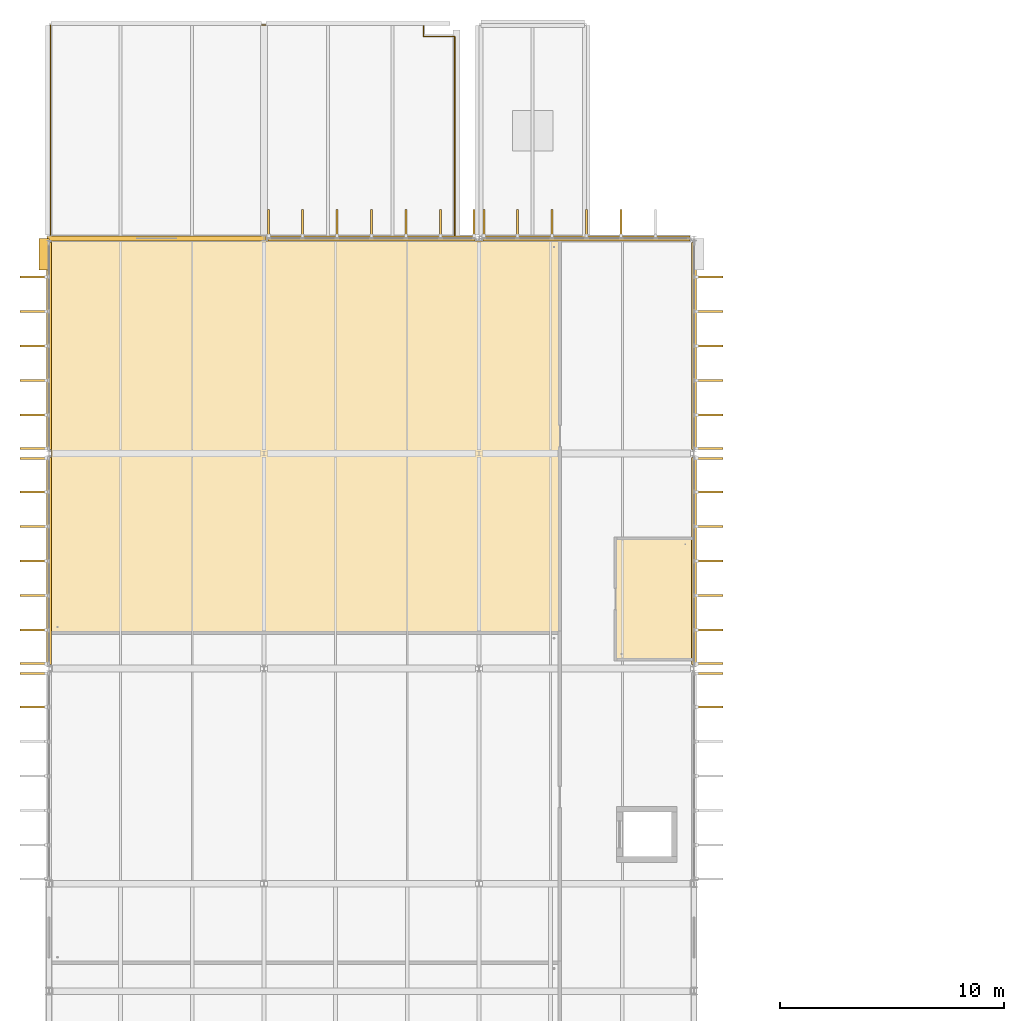
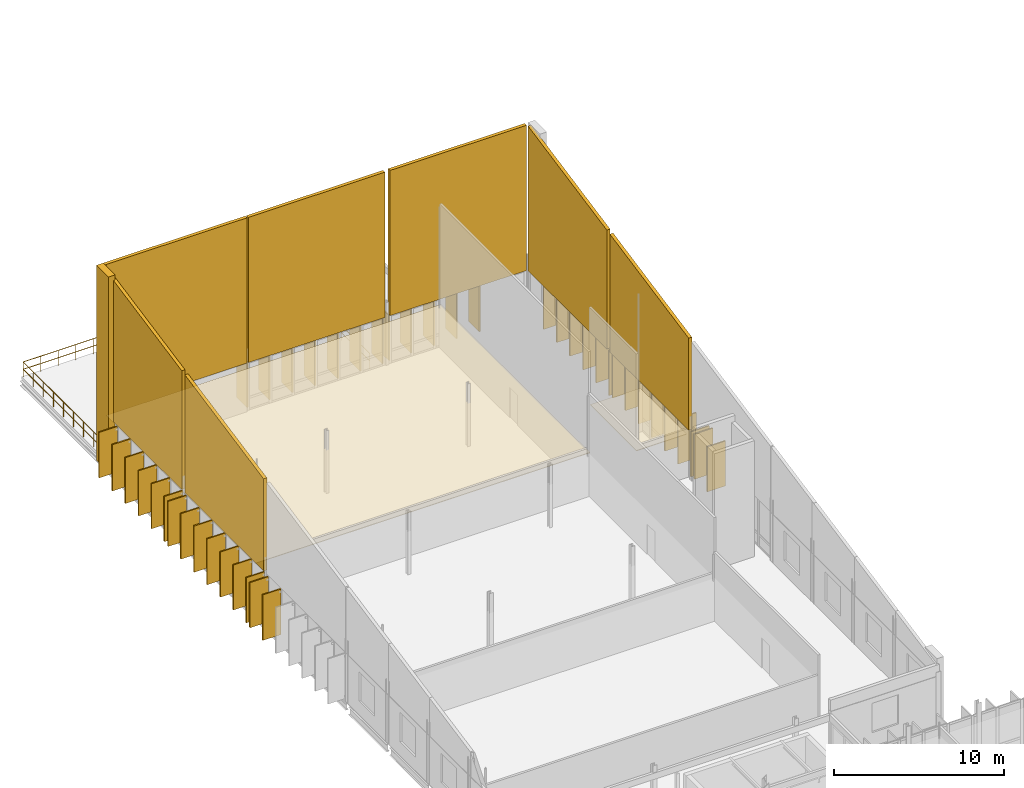
# One storey, part 91 of 93: 52 coverings, 1 railing.
"""IFC4 building model written with IfcOpenShell, lengths in metres."""

import ifcopenshell
import ifcopenshell.guid

model = None  # the IFC model being written
_history = None  # IfcOwnerHistory: only IFC2X3 demands one
_inside = {}  # id of a spatial element -> (the spatial element, [elements in it])
_under = {}  # id of a project, library or spatial element -> (it, [spatial elements below it])
_declared = {}  # id of a project -> (the project, [libraries it declares])
_typed = {}  # id of a type object -> (the type object, [elements of that type])
_made_of = {}  # id of a material, layer set ... -> (it, [elements and type objects made of it])


def new_model(schema):
    """Start an empty IFC model of exactly this schema.

    Asked for "IFC4X3", IfcOpenShell would pick the latest addendum, in which some entities
    have other attributes; the version numbers below select the first issue.
    IFC2X3 requires an IfcOwnerHistory on every rooted entity: one is made here for all.
    """
    global model, _history
    if schema == "IFC4X3":
        model = ifcopenshell.file(schema_version=(4, 3, 0, 0))
    else:
        model = ifcopenshell.file(schema=schema)
    _inside.clear()
    _under.clear()
    _declared.clear()
    _typed.clear()
    _made_of.clear()
    _history = None
    if model.schema == "IFC2X3":
        org = make("IfcOrganization", Name="unknown")
        user = make(
            "IfcPersonAndOrganization",
            ThePerson=make("IfcPerson", FamilyName="unknown"),
            TheOrganization=org,
        )
        app = make(
            "IfcApplication",
            ApplicationDeveloper=org,
            Version="unknown",
            ApplicationFullName="unknown",
            ApplicationIdentifier="unknown",
        )
        _history = make(
            "IfcOwnerHistory",
            OwningUser=user,
            OwningApplication=app,
            ChangeAction="ADDED",
            CreationDate=0,
        )
    return model


def make(cls, **values):
    """One entity of the class cls with the attributes given. An attribute that is None is left unset."""
    return model.create_entity(
        cls, **{name: value for name, value in values.items() if value is not None}
    )


def rooted(cls, **values):
    """An entity with a GlobalId (a new one), such as an element, a storey or a relation."""
    return make(cls, GlobalId=ifcopenshell.guid.new(), OwnerHistory=_history, **values)


def si_unit(unit_type, name, prefix=None):
    """IfcSIUnit, for example si_unit("LENGTHUNIT", "METRE", prefix="MILLI")."""
    return make("IfcSIUnit", UnitType=unit_type, Prefix=prefix, Name=name)


def assignment(units):
    """IfcUnitAssignment: the units of a project."""
    return None if units is None else make("IfcUnitAssignment", Units=units)


def point(xyz):
    """IfcCartesianPoint."""
    return None if xyz is None else make("IfcCartesianPoint", Coordinates=xyz)


def direction(xyz):
    """IfcDirection."""
    return None if xyz is None else make("IfcDirection", DirectionRatios=xyz)


def frame(location, z_axis=None, x_axis=None):
    """IfcAxis2Placement3D, a coordinate frame: its origin and axes. An axis left out is left unset."""
    return make(
        "IfcAxis2Placement3D",
        Location=point(location),
        Axis=direction(z_axis),
        RefDirection=direction(x_axis),
    )


def frame_2d(location, x_axis=None):
    """IfcAxis2Placement2D, a coordinate frame in the plane: its origin and x axis."""
    return make(
        "IfcAxis2Placement2D", Location=point(location), RefDirection=direction(x_axis)
    )


def origin():
    """The frame at (0, 0, 0) with its axes left unset."""
    return frame((0.0, 0.0, 0.0))


def origin_2d():
    """The frame at (0, 0) in the plane with its x axis left unset."""
    return frame_2d((0.0, 0.0))


def place(relative_to, where):
    """IfcLocalPlacement: puts the frame where relative to a parent placement (None: the world)."""
    return make(
        "IfcLocalPlacement", PlacementRelTo=relative_to, RelativePlacement=where
    )


def context(
    kind, dimensions, precision=None, world=None, true_north=None, identifier=None
):
    """IfcGeometricRepresentationContext, for example the 3D "Model" context."""
    return make(
        "IfcGeometricRepresentationContext",
        ContextIdentifier=identifier,
        ContextType=kind,
        CoordinateSpaceDimension=dimensions,
        Precision=precision,
        WorldCoordinateSystem=world,
        TrueNorth=true_north,
    )


def subcontext(parent, identifier, kind, view, scale=None):
    """IfcGeometricRepresentationSubContext, for example "Body" below "Model"."""
    return make(
        "IfcGeometricRepresentationSubContext",
        ContextIdentifier=identifier,
        ContextType=kind,
        ParentContext=parent,
        TargetScale=scale,
        TargetView=view,
    )


def project(units=None, contexts=None):
    """IfcProject with its units and contexts."""
    return rooted(
        "IfcProject",
        Name="project",
        RepresentationContexts=contexts,
        UnitsInContext=assignment(units),
    )


def spatial(cls, under=None, at=None, **own):
    """A site, building, storey or space (cls), placed at a placement, below another one or the project."""
    s = rooted(cls, ObjectPlacement=at, **own)
    if under is not None:
        _under.setdefault(under.id(), (under, []))[1].append(s)
    return s


def polyline(points):
    """IfcPolyline through the points."""
    return make("IfcPolyline", Points=[point(p) for p in points])


def profile(cls, at=None, kind="AREA", **sizes):
    """A parametric profile (cls). Its sizes go by their IFC names, for example OverallWidth=200.0."""
    return make(cls, ProfileType=kind, Position=at, **sizes)


def rectangle(**sizes):
    """IfcRectangleProfileDef."""
    return profile("IfcRectangleProfileDef", **sizes)


def circle(**sizes):
    """IfcCircleProfileDef."""
    return profile("IfcCircleProfileDef", **sizes)


def outline(outer, holes=None, kind="AREA"):
    """IfcArbitraryClosedProfileDef: a profile drawn as a closed curve; with holes, ...WithVoids."""
    if holes is None:
        return make("IfcArbitraryClosedProfileDef", ProfileType=kind, OuterCurve=outer)
    return make(
        "IfcArbitraryProfileDefWithVoids",
        ProfileType=kind,
        OuterCurve=outer,
        InnerCurves=holes,
    )


def extrude(swept, where, along, depth):
    """IfcExtrudedAreaSolid: the profile swept, set in the frame where, extruded along a direction by depth."""
    return make(
        "IfcExtrudedAreaSolid",
        SweptArea=swept,
        Position=where,
        ExtrudedDirection=direction(along),
        Depth=depth,
    )


def shape(context_of_items, identifier, shape_type, items):
    """IfcShapeRepresentation: the items that make up one representation, for example the "Body"."""
    return make(
        "IfcShapeRepresentation",
        ContextOfItems=context_of_items,
        RepresentationIdentifier=identifier,
        RepresentationType=shape_type,
        Items=items,
    )


def material(Name=None, Category=None):
    """IfcMaterial."""
    return make("IfcMaterial", Name=Name, Category=Category)


def layer(
    of_material, thickness, ventilated=None, Name=None, Category=None, Priority=None
):
    """IfcMaterialLayer: one layer of a wall or slab, of a material (None: an air gap)."""
    return make(
        "IfcMaterialLayer",
        Material=of_material,
        LayerThickness=thickness,
        IsVentilated=ventilated,
        Name=Name,
        Category=Category,
        Priority=Priority,
    )


def layer_set(layers, Name=None):
    """IfcMaterialLayerSet."""
    return make("IfcMaterialLayerSet", MaterialLayers=layers, LayerSetName=Name)


def made_of(thing, what):
    """Note that an element or type object is made of a material, layer set ...; save() writes the relation."""
    if what is not None:
        _made_of.setdefault(what.id(), (what, []))[1].append(thing)
    return thing


def type_object(cls, material=None, **own):
    """A type object (cls), such as IfcWallType, which elements share."""
    return made_of(rooted(cls, **own), material)


def element(
    cls,
    number,
    at=None,
    inside=None,
    cuts=None,
    type_object=None,
    material=None,
    context=None,
    identifier="Body",
    shape_type=None,
    held_by="IfcProductDefinitionShape",
    body=None,
    shapes=None,
    **own,
):
    """One element of the class cls, such as IfcWall. Its Tag is "e" and its number.

    at: its placement. inside: the storey or other place that contains it. cuts: it is an
    opening in that element (IfcRelVoidsElement). A single representation is given by context,
    identifier, shape_type and body (its items); several are given by shapes. held_by: the class
    of the entity that holds the representations. save() writes the other relations.
    """
    e = rooted(cls, Tag="e%d" % number, ObjectPlacement=at, **own)
    if body is not None:
        shapes = [shape(context, identifier, shape_type, body)]
    if shapes is not None:
        e.Representation = make(held_by, Representations=shapes)
    if inside is not None:
        _inside.setdefault(inside.id(), (inside, []))[1].append(e)
    if cuts is not None:
        rooted(
            "IfcRelVoidsElement", RelatingBuildingElement=cuts, RelatedOpeningElement=e
        )
    if type_object is not None:
        _typed.setdefault(type_object.id(), (type_object, []))[1].append(e)
    return made_of(e, material)


def aggregate(whole, parts):
    """IfcRelAggregates: a whole, such as a stair, and the parts it consists of."""
    return rooted("IfcRelAggregates", RelatingObject=whole, RelatedObjects=parts)


def save(model, path):
    """Write the relations noted so far, then the file.

    IfcRelAggregates (storeys below a building ...), IfcRelContainedInSpatialStructure (elements
    in a storey), IfcRelDefinesByType, IfcRelAssociatesMaterial and IfcRelDeclares: one each for
    every whole, place, type object, material and project.
    """
    for whole, parts in _under.values():
        aggregate(whole, parts)
    for where, things in _inside.values():
        rooted(
            "IfcRelContainedInSpatialStructure",
            RelatedElements=things,
            RelatingStructure=where,
        )
    for kind, things in _typed.values():
        rooted("IfcRelDefinesByType", RelatedObjects=things, RelatingType=kind)
    for what, things in _made_of.values():
        rooted("IfcRelAssociatesMaterial", RelatedObjects=things, RelatingMaterial=what)
    for by, libraries in _declared.values():
        rooted("IfcRelDeclares", RelatingContext=by, RelatedDefinitions=libraries)
    model.write(path)


model = new_model("IFC4")

# Units and contexts
model_context = context("Model", 3, precision=1e-05, world=origin(), true_north=direction((0.0, 1.0)))
body_context = subcontext(model_context, "Body", "Model", "MODEL_VIEW")
ifc_project = project(units=[si_unit("LENGTHUNIT", "METRE"), si_unit("AREAUNIT", "SQUARE_METRE"), si_unit("VOLUMEUNIT", "CUBIC_METRE"), si_unit("PLANEANGLEUNIT", "RADIAN"), si_unit("MASSUNIT", "GRAM", prefix="KILO")], contexts=[model_context])

# Site, building, storey
site_placement = place(None, origin())
site = spatial("IfcSite", under=ifc_project, at=site_placement, CompositionType="ELEMENT")
building_placement = place(site_placement, origin())
building = spatial("IfcBuilding", under=site, at=building_placement, Name="Dunescarp Central Library", CompositionType="ELEMENT")
storey_placement = place(building_placement, frame((0.0, 0.0, 14.10009765625)))
storey = spatial("IfcBuildingStorey", under=building, at=storey_placement, Name="L03", CompositionType="ELEMENT", Elevation=14.10009765625)

# Coverings
ifc_material_1 = material(Name="Mineral-fibre acoustic ceiling tile")
ifc_layer_1 = layer(ifc_material_1, 0.0400390625)
ifc_layer_set_1 = layer_set([ifc_layer_1], Name="Mineral-fibre acoustic ceiling tile")
covering_type_1 = type_object("IfcCoveringType", Name="ARC-COV-CEIL40", PredefinedType="CEILING", material=ifc_layer_set_1)
covering_1_placement = place(storey_placement, frame((0.0, 0.0, 3.0498046875)))
element("IfcCovering", 1, at=covering_1_placement, inside=storey, type_object=covering_type_1, Name="L03 ceiling West Maker Wing WC", PredefinedType="CEILING", context=body_context, shape_type="SweptSolid", body=[
    extrude(outline(polyline([(25.280029296875, 70.780029296875), (28.679931640625, 70.780029296875), (28.679931640625, 76.219970703125), (25.280029296875, 76.219970703125), (25.280029296875, 70.780029296875)])), origin(), (0.0, 0.0, 1.0), 0.0400390625),
])
covering_2_placement = place(storey_placement, frame((0.0, 0.0, 3.0498046875)))
element("IfcCovering", 2, at=covering_2_placement, inside=storey, type_object=covering_type_1, Name="L03 ceiling Coding & Youth Innovation Lab", PredefinedType="CEILING", context=body_context, shape_type="SweptSolid", body=[
    extrude(outline(polyline([(0.1201171875, 71.97998046875), (22.820068359375, 71.97998046875), (22.820068359375, 89.47998046875), (0.1201171875, 89.47998046875), (0.1201171875, 71.97998046875)])), origin(), (0.0, 0.0, 1.0), 0.0400390625),
])
ifc_material_2 = material(Name="Glass-fibre reinforced concrete GRC", Category="concrete")
ifc_layer_2 = layer(ifc_material_2, 0.219970703125)
ifc_layer_set_2 = layer_set([ifc_layer_2], Name="Glass-fibre reinforced concrete GRC")
covering_type_2 = type_object("IfcCoveringType", Name="ARC-COV-CLER", PredefinedType="CLADDING", material=ifc_layer_set_2)
covering_3_placement = place(storey_placement, frame((0.0, 70.574951171875, 3.47900390625), z_axis=(0.0, 0.0, 1.0), x_axis=(0.0, 1.0, 0.0)))
element("IfcCovering", 3, at=covering_3_placement, inside=storey, type_object=covering_type_2, Name="L03 V4 raked clerestory closure CLR-V4-L03-075", PredefinedType="CLADDING", context=body_context, shape_type="SweptSolid", body=[
    extrude(outline(polyline([(0.0, 0.0), (9.25, 0.0), (9.25, 8.44482421875), (0.0, 6.594970703125), (0.0, 0.0)])), frame((0.0, 0.10986328125, 0.0), z_axis=(0.0, -1.0, 0.0), x_axis=(1.0, 0.0, 0.0)), (0.0, 0.0, 1.0), 0.219970703125),
])
covering_4_placement = place(storey_placement, frame((28.800048828125, 79.824951171875, 3.47900390625), z_axis=(0.0, 0.0, 1.0), x_axis=(0.0, -1.0, 0.0)))
element("IfcCovering", 4, at=covering_4_placement, inside=storey, type_object=covering_type_2, Name="L03 V4 raked clerestory closure CLR-V4-L03-076", PredefinedType="CLADDING", context=body_context, shape_type="SweptSolid", body=[
    extrude(outline(polyline([(0.0, 0.0), (9.25, 0.0), (9.25, 6.594970703125), (0.0, 8.44482421875), (0.0, 0.0)])), frame((0.0, 0.10986328125, 0.0), z_axis=(0.0, -1.0, 0.0), x_axis=(1.0, 0.0, 0.0)), (0.0, 0.0, 1.0), 0.219970703125),
])
covering_5_placement = place(storey_placement, frame((0.0, 80.175048828125, 3.47900390625), z_axis=(0.0, 0.0, 1.0), x_axis=(0.0, 1.0, 0.0)))
element("IfcCovering", 5, at=covering_5_placement, inside=storey, type_object=covering_type_2, Name="L03 V4 raked clerestory closure CLR-V4-L03-077", PredefinedType="CLADDING", context=body_context, shape_type="SweptSolid", body=[
    extrude(outline(polyline([(0.0, 0.0), (9.25, 0.0), (9.25, 10.364990234375), (0.0, 8.514892578125), (0.0, 0.0)])), frame((0.0, 0.10986328125, 0.0), z_axis=(0.0, -1.0, 0.0), x_axis=(1.0, 0.0, 0.0)), (0.0, 0.0, 1.0), 0.219970703125),
])
covering_6_placement = place(storey_placement, frame((28.800048828125, 89.425048828125, 3.47900390625), z_axis=(0.0, 0.0, 1.0), x_axis=(0.0, -1.0, 0.0)))
element("IfcCovering", 6, at=covering_6_placement, inside=storey, type_object=covering_type_2, Name="L03 V4 raked clerestory closure CLR-V4-L03-078", PredefinedType="CLADDING", context=body_context, shape_type="SweptSolid", body=[
    extrude(outline(polyline([(0.0, 0.0), (9.25, 0.0), (9.25, 8.514892578125), (0.0, 10.364990234375), (0.0, 0.0)])), frame((0.0, 0.10986328125, 0.0), z_axis=(0.0, -1.0, 0.0), x_axis=(1.0, 0.0, 0.0)), (0.0, 0.0, 1.0), 0.219970703125),
])
covering_7_placement = place(storey_placement, frame((-0.0849609375, 89.60009765625, 3.471923828125), z_axis=(0.0, 0.0, 1.0), x_axis=(1.0, 0.0, 0.0)))
element("IfcCovering", 7, at=covering_7_placement, inside=storey, type_object=covering_type_2, Name="L03 V4 raked clerestory closure CLR-V4-L03-079", PredefinedType="CLADDING", context=body_context, shape_type="SweptSolid", body=[
    extrude(outline(polyline([(0.0, 0.0), (9.77001953125, 0.0), (9.77001953125, 10.406982421875), (0.0, 10.406982421875), (0.0, 0.0)])), frame((0.0, 0.10986328125, 0.0), z_axis=(0.0, -1.0, 0.0), x_axis=(1.0, 0.0, 0.0)), (0.0, 0.0, 1.0), 0.219970703125),
])
for number, where, z_axis, x_axis, name in (
    (8, (9.77490234375, 89.60009765625, 3.471923828125), (0.0, 0.0, 1.0), (1.0, 0.0, 0.0), "L03 V4 raked clerestory closure CLR-V4-L03-080"),
    (9, (19.375, 89.60009765625, 3.471923828125), (0.0, 0.0, 1.0), (1.0, 0.0, 0.0), "L03 V4 raked clerestory closure CLR-V4-L03-081"),
):
    element("IfcCovering", number, at=place(storey_placement, frame(where, z_axis=z_axis, x_axis=x_axis)), inside=storey, type_object=covering_type_2, Name=name, PredefinedType="CLADDING", context=body_context, shape_type="SweptSolid", body=[
        extrude(outline(polyline([(0.0, 0.0), (9.25, 0.0), (9.25, 10.406982421875), (0.0, 10.406982421875), (0.0, 0.0)])), frame((0.0, 0.10986328125, 0.0), z_axis=(0.0, -1.0, 0.0), x_axis=(1.0, 0.0, 0.0)), (0.0, 0.0, 1.0), 0.219970703125),
    ])
ifc_layer_3 = layer(ifc_material_2, 0.090087890625)
ifc_layer_set_3 = layer_set([ifc_layer_3], Name="Glass-fibre reinforced concrete GRC")
covering_type_3 = type_object("IfcCoveringType", Name="ARC-COV-FIN1250", PredefinedType="CLADDING", material=ifc_layer_set_3)
covering_8_placement = place(storey_placement, frame((-0.662109375, 68.68310546875, 0.07958984375), z_axis=(0.0, 0.0, 1.0), x_axis=(-1.0, 0.0, 0.0)))
element("IfcCovering", 10, at=covering_8_placement, inside=storey, type_object=covering_type_3, Name="L03 parametric vertical facade fin FIN-L03-0868", PredefinedType="CLADDING", context=body_context, shape_type="SweptSolid", body=[
    extrude(rectangle(XDim=1.25, YDim=0.090087890625, at=origin_2d()), origin(), (0.0, 0.0, 1.0), 3.260986328125),
])
covering_9_placement = place(storey_placement, frame((-0.662109375, 70.18505859375, 0.079833984375), z_axis=(0.0, 0.0, 1.0), x_axis=(-1.0, 0.0, 0.0)))
element("IfcCovering", 11, at=covering_9_placement, inside=storey, type_object=covering_type_3, Name="L03 parametric vertical facade fin FIN-L03-0869", PredefinedType="CLADDING", context=body_context, shape_type="SweptSolid", body=[
    extrude(rectangle(XDim=1.25, YDim=0.090087890625, at=origin_2d()), origin(), (0.0, 0.0, 1.0), 3.22802734375),
])
covering_10_placement = place(storey_placement, frame((29.4619140625, 70.18505859375, 0.16650390625), z_axis=(0.0, 0.0, 1.0), x_axis=(1.0, 0.0, 0.0)))
element("IfcCovering", 12, at=covering_10_placement, inside=storey, type_object=covering_type_3, Name="L03 parametric vertical facade fin FIN-L03-0870", PredefinedType="CLADDING", context=body_context, shape_type="SweptSolid", body=[
    extrude(rectangle(XDim=1.25, YDim=0.090087890625, at=origin_2d()), origin(), (0.0, 0.0, 1.0), 3.235107421875),
])
covering_11_placement = place(storey_placement, frame((29.4619140625, 68.68310546875, 0.18017578125), z_axis=(0.0, 0.0, 1.0), x_axis=(1.0, 0.0, 0.0)))
element("IfcCovering", 13, at=covering_11_placement, inside=storey, type_object=covering_type_3, Name="L03 parametric vertical facade fin FIN-L03-0871", PredefinedType="CLADDING", context=body_context, shape_type="SweptSolid", body=[
    extrude(rectangle(XDim=1.25, YDim=0.090087890625, at=origin_2d()), origin(), (0.0, 0.0, 1.0), 3.221923828125),
])
covering_12_placement = place(storey_placement, frame((-0.662109375, 70.614990234375, 0.16650390625), z_axis=(0.0, 0.0, 1.0), x_axis=(-1.0, 0.0, 0.0)))
element("IfcCovering", 14, at=covering_12_placement, inside=storey, type_object=covering_type_3, Name="L03 parametric vertical facade fin FIN-L03-0877", PredefinedType="CLADDING", context=body_context, shape_type="SweptSolid", body=[
    extrude(rectangle(XDim=1.25, YDim=0.090087890625, at=origin_2d()), origin(), (0.0, 0.0, 1.0), 3.235107421875),
])
covering_13_placement = place(storey_placement, frame((-0.662109375, 72.116943359375, 0.18017578125), z_axis=(0.0, 0.0, 1.0), x_axis=(-1.0, 0.0, 0.0)))
element("IfcCovering", 15, at=covering_13_placement, inside=storey, type_object=covering_type_3, Name="L03 parametric vertical facade fin FIN-L03-0878", PredefinedType="CLADDING", context=body_context, shape_type="SweptSolid", body=[
    extrude(rectangle(XDim=1.25, YDim=0.090087890625, at=origin_2d()), origin(), (0.0, 0.0, 1.0), 3.221923828125),
])
covering_14_placement = place(storey_placement, frame((-0.662109375, 73.657958984375, 0.1640625), z_axis=(0.0, 0.0, 1.0), x_axis=(-1.0, 0.0, 0.0)))
element("IfcCovering", 16, at=covering_14_placement, inside=storey, type_object=covering_type_3, Name="L03 parametric vertical facade fin FIN-L03-0879", PredefinedType="CLADDING", context=body_context, shape_type="SweptSolid", body=[
    extrude(rectangle(XDim=1.25, YDim=0.090087890625, at=origin_2d()), origin(), (0.0, 0.0, 1.0), 3.238037109375),
])
covering_15_placement = place(storey_placement, frame((-0.662109375, 75.199951171875, 0.12353515625), z_axis=(0.0, 0.0, 1.0), x_axis=(-1.0, 0.0, 0.0)))
element("IfcCovering", 17, at=covering_15_placement, inside=storey, type_object=covering_type_3, Name="L03 parametric vertical facade fin FIN-L03-0880", PredefinedType="CLADDING", context=body_context, shape_type="SweptSolid", body=[
    extrude(rectangle(XDim=1.25, YDim=0.090087890625, at=origin_2d()), origin(), (0.0, 0.0, 1.0), 3.279052734375),
])
covering_16_placement = place(storey_placement, frame((-0.662109375, 76.741943359375, 0.079345703125), z_axis=(0.0, 0.0, 1.0), x_axis=(-1.0, 0.0, 0.0)))
element("IfcCovering", 18, at=covering_16_placement, inside=storey, type_object=covering_type_3, Name="L03 parametric vertical facade fin FIN-L03-0881", PredefinedType="CLADDING", context=body_context, shape_type="SweptSolid", body=[
    extrude(rectangle(XDim=1.25, YDim=0.090087890625, at=origin_2d()), origin(), (0.0, 0.0, 1.0), 3.31103515625),
])
covering_17_placement = place(storey_placement, frame((-0.662109375, 78.282958984375, 0.07958984375), z_axis=(0.0, 0.0, 1.0), x_axis=(-1.0, 0.0, 0.0)))
element("IfcCovering", 19, at=covering_17_placement, inside=storey, type_object=covering_type_3, Name="L03 parametric vertical facade fin FIN-L03-0882", PredefinedType="CLADDING", context=body_context, shape_type="SweptSolid", body=[
    extrude(rectangle(XDim=1.25, YDim=0.090087890625, at=origin_2d()), origin(), (0.0, 0.0, 1.0), 3.260986328125),
])
covering_18_placement = place(storey_placement, frame((-0.662109375, 79.784912109375, 0.079833984375), z_axis=(0.0, 0.0, 1.0), x_axis=(-1.0, 0.0, 0.0)))
element("IfcCovering", 20, at=covering_18_placement, inside=storey, type_object=covering_type_3, Name="L03 parametric vertical facade fin FIN-L03-0883", PredefinedType="CLADDING", context=body_context, shape_type="SweptSolid", body=[
    extrude(rectangle(XDim=1.25, YDim=0.090087890625, at=origin_2d()), origin(), (0.0, 0.0, 1.0), 3.22802734375),
])
covering_19_placement = place(storey_placement, frame((29.4619140625, 79.784912109375, 0.16650390625), z_axis=(0.0, 0.0, 1.0), x_axis=(1.0, 0.0, 0.0)))
element("IfcCovering", 21, at=covering_19_placement, inside=storey, type_object=covering_type_3, Name="L03 parametric vertical facade fin FIN-L03-0884", PredefinedType="CLADDING", context=body_context, shape_type="SweptSolid", body=[
    extrude(rectangle(XDim=1.25, YDim=0.090087890625, at=origin_2d()), origin(), (0.0, 0.0, 1.0), 3.235107421875),
])
covering_20_placement = place(storey_placement, frame((29.4619140625, 78.282958984375, 0.18017578125), z_axis=(0.0, 0.0, 1.0), x_axis=(1.0, 0.0, 0.0)))
element("IfcCovering", 22, at=covering_20_placement, inside=storey, type_object=covering_type_3, Name="L03 parametric vertical facade fin FIN-L03-0885", PredefinedType="CLADDING", context=body_context, shape_type="SweptSolid", body=[
    extrude(rectangle(XDim=1.25, YDim=0.090087890625, at=origin_2d()), origin(), (0.0, 0.0, 1.0), 3.221923828125),
])
covering_21_placement = place(storey_placement, frame((29.4619140625, 76.741943359375, 0.1640625), z_axis=(0.0, 0.0, 1.0), x_axis=(1.0, 0.0, 0.0)))
element("IfcCovering", 23, at=covering_21_placement, inside=storey, type_object=covering_type_3, Name="L03 parametric vertical facade fin FIN-L03-0886", PredefinedType="CLADDING", context=body_context, shape_type="SweptSolid", body=[
    extrude(rectangle(XDim=1.25, YDim=0.090087890625, at=origin_2d()), origin(), (0.0, 0.0, 1.0), 3.238037109375),
])
covering_22_placement = place(storey_placement, frame((29.4619140625, 75.199951171875, 0.12353515625), z_axis=(0.0, 0.0, 1.0), x_axis=(1.0, 0.0, 0.0)))
element("IfcCovering", 24, at=covering_22_placement, inside=storey, type_object=covering_type_3, Name="L03 parametric vertical facade fin FIN-L03-0887", PredefinedType="CLADDING", context=body_context, shape_type="SweptSolid", body=[
    extrude(rectangle(XDim=1.25, YDim=0.090087890625, at=origin_2d()), origin(), (0.0, 0.0, 1.0), 3.279052734375),
])
covering_23_placement = place(storey_placement, frame((29.4619140625, 73.657958984375, 0.079345703125), z_axis=(0.0, 0.0, 1.0), x_axis=(1.0, 0.0, 0.0)))
element("IfcCovering", 25, at=covering_23_placement, inside=storey, type_object=covering_type_3, Name="L03 parametric vertical facade fin FIN-L03-0888", PredefinedType="CLADDING", context=body_context, shape_type="SweptSolid", body=[
    extrude(rectangle(XDim=1.25, YDim=0.090087890625, at=origin_2d()), origin(), (0.0, 0.0, 1.0), 3.31103515625),
])
covering_24_placement = place(storey_placement, frame((29.4619140625, 72.116943359375, 0.07958984375), z_axis=(0.0, 0.0, 1.0), x_axis=(1.0, 0.0, 0.0)))
element("IfcCovering", 26, at=covering_24_placement, inside=storey, type_object=covering_type_3, Name="L03 parametric vertical facade fin FIN-L03-0889", PredefinedType="CLADDING", context=body_context, shape_type="SweptSolid", body=[
    extrude(rectangle(XDim=1.25, YDim=0.090087890625, at=origin_2d()), origin(), (0.0, 0.0, 1.0), 3.260986328125),
])
covering_25_placement = place(storey_placement, frame((29.4619140625, 70.614990234375, 0.079833984375), z_axis=(0.0, 0.0, 1.0), x_axis=(1.0, 0.0, 0.0)))
element("IfcCovering", 27, at=covering_25_placement, inside=storey, type_object=covering_type_3, Name="L03 parametric vertical facade fin FIN-L03-0890", PredefinedType="CLADDING", context=body_context, shape_type="SweptSolid", body=[
    extrude(rectangle(XDim=1.25, YDim=0.090087890625, at=origin_2d()), origin(), (0.0, 0.0, 1.0), 3.22802734375),
])
covering_26_placement = place(storey_placement, frame((-0.662109375, 80.215087890625, 0.16650390625), z_axis=(0.0, 0.0, 1.0), x_axis=(-1.0, 0.0, 0.0)))
element("IfcCovering", 28, at=covering_26_placement, inside=storey, type_object=covering_type_3, Name="L03 parametric vertical facade fin FIN-L03-0891", PredefinedType="CLADDING", context=body_context, shape_type="SweptSolid", body=[
    extrude(rectangle(XDim=1.25, YDim=0.090087890625, at=origin_2d()), origin(), (0.0, 0.0, 1.0), 3.235107421875),
])
covering_27_placement = place(storey_placement, frame((-0.662109375, 81.717041015625, 0.18017578125), z_axis=(0.0, 0.0, 1.0), x_axis=(-1.0, 0.0, 0.0)))
element("IfcCovering", 29, at=covering_27_placement, inside=storey, type_object=covering_type_3, Name="L03 parametric vertical facade fin FIN-L03-0892", PredefinedType="CLADDING", context=body_context, shape_type="SweptSolid", body=[
    extrude(rectangle(XDim=1.25, YDim=0.090087890625, at=origin_2d()), origin(), (0.0, 0.0, 1.0), 3.221923828125),
])
covering_28_placement = place(storey_placement, frame((-0.662109375, 83.258056640625, 0.1640625), z_axis=(0.0, 0.0, 1.0), x_axis=(-1.0, 0.0, 0.0)))
element("IfcCovering", 30, at=covering_28_placement, inside=storey, type_object=covering_type_3, Name="L03 parametric vertical facade fin FIN-L03-0893", PredefinedType="CLADDING", context=body_context, shape_type="SweptSolid", body=[
    extrude(rectangle(XDim=1.25, YDim=0.090087890625, at=origin_2d()), origin(), (0.0, 0.0, 1.0), 3.238037109375),
])
covering_29_placement = place(storey_placement, frame((-0.662109375, 84.800048828125, 0.12353515625), z_axis=(0.0, 0.0, 1.0), x_axis=(-1.0, 0.0, 0.0)))
element("IfcCovering", 31, at=covering_29_placement, inside=storey, type_object=covering_type_3, Name="L03 parametric vertical facade fin FIN-L03-0894", PredefinedType="CLADDING", context=body_context, shape_type="SweptSolid", body=[
    extrude(rectangle(XDim=1.25, YDim=0.090087890625, at=origin_2d()), origin(), (0.0, 0.0, 1.0), 3.279052734375),
])
covering_30_placement = place(storey_placement, frame((-0.662109375, 86.342041015625, 0.079345703125), z_axis=(0.0, 0.0, 1.0), x_axis=(-1.0, 0.0, 0.0)))
element("IfcCovering", 32, at=covering_30_placement, inside=storey, type_object=covering_type_3, Name="L03 parametric vertical facade fin FIN-L03-0895", PredefinedType="CLADDING", context=body_context, shape_type="SweptSolid", body=[
    extrude(rectangle(XDim=1.25, YDim=0.090087890625, at=origin_2d()), origin(), (0.0, 0.0, 1.0), 3.31103515625),
])
covering_31_placement = place(storey_placement, frame((-0.662109375, 87.883056640625, 0.07958984375), z_axis=(0.0, 0.0, 1.0), x_axis=(-1.0, 0.0, 0.0)))
element("IfcCovering", 33, at=covering_31_placement, inside=storey, type_object=covering_type_3, Name="L03 parametric vertical facade fin FIN-L03-0896", PredefinedType="CLADDING", context=body_context, shape_type="SweptSolid", body=[
    extrude(rectangle(XDim=1.25, YDim=0.090087890625, at=origin_2d()), origin(), (0.0, 0.0, 1.0), 3.260986328125),
])
covering_32_placement = place(storey_placement, frame((29.4619140625, 87.883056640625, 0.18017578125), z_axis=(0.0, 0.0, 1.0), x_axis=(1.0, 0.0, 0.0)))
element("IfcCovering", 34, at=covering_32_placement, inside=storey, type_object=covering_type_3, Name="L03 parametric vertical facade fin FIN-L03-0897", PredefinedType="CLADDING", context=body_context, shape_type="SweptSolid", body=[
    extrude(rectangle(XDim=1.25, YDim=0.090087890625, at=origin_2d()), origin(), (0.0, 0.0, 1.0), 3.221923828125),
])
covering_33_placement = place(storey_placement, frame((29.4619140625, 86.342041015625, 0.1640625), z_axis=(0.0, 0.0, 1.0), x_axis=(1.0, 0.0, 0.0)))
element("IfcCovering", 35, at=covering_33_placement, inside=storey, type_object=covering_type_3, Name="L03 parametric vertical facade fin FIN-L03-0898", PredefinedType="CLADDING", context=body_context, shape_type="SweptSolid", body=[
    extrude(rectangle(XDim=1.25, YDim=0.090087890625, at=origin_2d()), origin(), (0.0, 0.0, 1.0), 3.238037109375),
])
covering_34_placement = place(storey_placement, frame((29.4619140625, 84.800048828125, 0.12353515625), z_axis=(0.0, 0.0, 1.0), x_axis=(1.0, 0.0, 0.0)))
element("IfcCovering", 36, at=covering_34_placement, inside=storey, type_object=covering_type_3, Name="L03 parametric vertical facade fin FIN-L03-0899", PredefinedType="CLADDING", context=body_context, shape_type="SweptSolid", body=[
    extrude(rectangle(XDim=1.25, YDim=0.090087890625, at=origin_2d()), origin(), (0.0, 0.0, 1.0), 3.279052734375),
])
covering_35_placement = place(storey_placement, frame((29.4619140625, 83.258056640625, 0.079345703125), z_axis=(0.0, 0.0, 1.0), x_axis=(1.0, 0.0, 0.0)))
element("IfcCovering", 37, at=covering_35_placement, inside=storey, type_object=covering_type_3, Name="L03 parametric vertical facade fin FIN-L03-0900", PredefinedType="CLADDING", context=body_context, shape_type="SweptSolid", body=[
    extrude(rectangle(XDim=1.25, YDim=0.090087890625, at=origin_2d()), origin(), (0.0, 0.0, 1.0), 3.31103515625),
])
covering_36_placement = place(storey_placement, frame((29.4619140625, 81.717041015625, 0.07958984375), z_axis=(0.0, 0.0, 1.0), x_axis=(1.0, 0.0, 0.0)))
element("IfcCovering", 38, at=covering_36_placement, inside=storey, type_object=covering_type_3, Name="L03 parametric vertical facade fin FIN-L03-0901", PredefinedType="CLADDING", context=body_context, shape_type="SweptSolid", body=[
    extrude(rectangle(XDim=1.25, YDim=0.090087890625, at=origin_2d()), origin(), (0.0, 0.0, 1.0), 3.260986328125),
])
for number, where, z_axis, x_axis, name in (
    (39, (29.4619140625, 80.215087890625, 0.079833984375), (0.0, 0.0, 1.0), (1.0, 0.0, 0.0), "L03 parametric vertical facade fin FIN-L03-0902"),
    (40, (9.81494140625, 90.261962890625, 0.1669921875), (0.0, 0.0, 1.0), (0.0, 1.0, 0.0), "L03 parametric vertical facade fin FIN-L03-0903"),
):
    element("IfcCovering", number, at=place(storey_placement, frame(where, z_axis=z_axis, x_axis=x_axis)), inside=storey, type_object=covering_type_3, Name=name, PredefinedType="CLADDING", context=body_context, shape_type="SweptSolid", body=[
        extrude(rectangle(XDim=1.25, YDim=0.090087890625, at=origin_2d()), origin(), (0.0, 0.0, 1.0), 3.22802734375),
    ])
covering_37_placement = place(storey_placement, frame((11.31689453125, 90.261962890625, 0.17919921875), z_axis=(0.0, 0.0, 1.0), x_axis=(0.0, 1.0, 0.0)))
element("IfcCovering", 41, at=covering_37_placement, inside=storey, type_object=covering_type_3, Name="L03 parametric vertical facade fin FIN-L03-0904", PredefinedType="CLADDING", context=body_context, shape_type="SweptSolid", body=[
    extrude(rectangle(XDim=1.25, YDim=0.090087890625, at=origin_2d()), origin(), (0.0, 0.0, 1.0), 3.215087890625),
])
covering_38_placement = place(storey_placement, frame((12.85791015625, 90.261962890625, 0.164306640625), z_axis=(0.0, 0.0, 1.0), x_axis=(0.0, 1.0, 0.0)))
element("IfcCovering", 42, at=covering_38_placement, inside=storey, type_object=covering_type_3, Name="L03 parametric vertical facade fin FIN-L03-0905", PredefinedType="CLADDING", context=body_context, shape_type="SweptSolid", body=[
    extrude(rectangle(XDim=1.25, YDim=0.090087890625, at=origin_2d()), origin(), (0.0, 0.0, 1.0), 3.23095703125),
])
covering_39_placement = place(storey_placement, frame((14.39990234375, 90.261962890625, 0.122802734375), z_axis=(0.0, 0.0, 1.0), x_axis=(0.0, 1.0, 0.0)))
element("IfcCovering", 43, at=covering_39_placement, inside=storey, type_object=covering_type_3, Name="L03 parametric vertical facade fin FIN-L03-0906", PredefinedType="CLADDING", context=body_context, shape_type="SweptSolid", body=[
    extrude(rectangle(XDim=1.25, YDim=0.090087890625, at=origin_2d()), origin(), (0.0, 0.0, 1.0), 3.27197265625),
])
covering_40_placement = place(storey_placement, frame((15.94189453125, 90.261962890625, 0.080078125), z_axis=(0.0, 0.0, 1.0), x_axis=(0.0, 1.0, 0.0)))
element("IfcCovering", 44, at=covering_40_placement, inside=storey, type_object=covering_type_3, Name="L03 parametric vertical facade fin FIN-L03-0907", PredefinedType="CLADDING", context=body_context, shape_type="SweptSolid", body=[
    extrude(rectangle(XDim=1.25, YDim=0.090087890625, at=origin_2d()), origin(), (0.0, 0.0, 1.0), 3.303955078125),
])
covering_41_placement = place(storey_placement, frame((17.48291015625, 90.261962890625, 0.079833984375), z_axis=(0.0, 0.0, 1.0), x_axis=(0.0, 1.0, 0.0)))
element("IfcCovering", 45, at=covering_41_placement, inside=storey, type_object=covering_type_3, Name="L03 parametric vertical facade fin FIN-L03-0908", PredefinedType="CLADDING", context=body_context, shape_type="SweptSolid", body=[
    extrude(rectangle(XDim=1.25, YDim=0.090087890625, at=origin_2d()), origin(), (0.0, 0.0, 1.0), 3.25390625),
])
covering_42_placement = place(storey_placement, frame((18.985107421875, 90.261962890625, 0.07958984375), z_axis=(0.0, 0.0, 1.0), x_axis=(0.0, 1.0, 0.0)))
element("IfcCovering", 46, at=covering_42_placement, inside=storey, type_object=covering_type_3, Name="L03 parametric vertical facade fin FIN-L03-0909", PredefinedType="CLADDING", context=body_context, shape_type="SweptSolid", body=[
    extrude(rectangle(XDim=1.25, YDim=0.090087890625, at=origin_2d()), origin(), (0.0, 0.0, 1.0), 3.220947265625),
])
covering_43_placement = place(storey_placement, frame((19.4150390625, 90.261962890625, 0.1669921875), z_axis=(0.0, 0.0, 1.0), x_axis=(0.0, 1.0, 0.0)))
element("IfcCovering", 47, at=covering_43_placement, inside=storey, type_object=covering_type_3, Name="L03 parametric vertical facade fin FIN-L03-0910", PredefinedType="CLADDING", context=body_context, shape_type="SweptSolid", body=[
    extrude(rectangle(XDim=1.25, YDim=0.090087890625, at=origin_2d()), origin(), (0.0, 0.0, 1.0), 3.22802734375),
])
covering_44_placement = place(storey_placement, frame((20.9169921875, 90.261962890625, 0.17919921875), z_axis=(0.0, 0.0, 1.0), x_axis=(0.0, 1.0, 0.0)))
element("IfcCovering", 48, at=covering_44_placement, inside=storey, type_object=covering_type_3, Name="L03 parametric vertical facade fin FIN-L03-0911", PredefinedType="CLADDING", context=body_context, shape_type="SweptSolid", body=[
    extrude(rectangle(XDim=1.25, YDim=0.090087890625, at=origin_2d()), origin(), (0.0, 0.0, 1.0), 3.215087890625),
])
covering_45_placement = place(storey_placement, frame((22.4580078125, 90.261962890625, 0.164306640625), z_axis=(0.0, 0.0, 1.0), x_axis=(0.0, 1.0, 0.0)))
element("IfcCovering", 49, at=covering_45_placement, inside=storey, type_object=covering_type_3, Name="L03 parametric vertical facade fin FIN-L03-0912", PredefinedType="CLADDING", context=body_context, shape_type="SweptSolid", body=[
    extrude(rectangle(XDim=1.25, YDim=0.090087890625, at=origin_2d()), origin(), (0.0, 0.0, 1.0), 3.23095703125),
])
covering_46_placement = place(storey_placement, frame((24.0, 90.261962890625, 0.122802734375), z_axis=(0.0, 0.0, 1.0), x_axis=(0.0, 1.0, 0.0)))
element("IfcCovering", 50, at=covering_46_placement, inside=storey, type_object=covering_type_3, Name="L03 parametric vertical facade fin FIN-L03-0913", PredefinedType="CLADDING", context=body_context, shape_type="SweptSolid", body=[
    extrude(rectangle(XDim=1.25, YDim=0.090087890625, at=origin_2d()), origin(), (0.0, 0.0, 1.0), 3.27197265625),
])
covering_47_placement = place(storey_placement, frame((25.5419921875, 90.261962890625, 0.080078125), z_axis=(0.0, 0.0, 1.0), x_axis=(0.0, 1.0, 0.0)))
element("IfcCovering", 51, at=covering_47_placement, inside=storey, type_object=covering_type_3, Name="L03 parametric vertical facade fin FIN-L03-0914", PredefinedType="CLADDING", context=body_context, shape_type="SweptSolid", body=[
    extrude(rectangle(XDim=1.25, YDim=0.090087890625, at=origin_2d()), origin(), (0.0, 0.0, 1.0), 3.303955078125),
])
ifc_layer_4 = layer(ifc_material_2, 0.449951171875)
ifc_layer_set_4 = layer_set([ifc_layer_4], Name="Glass-fibre reinforced concrete GRC")
covering_type_4 = type_object("IfcCoveringType", Name="ARC-COV-PORTAL", PredefinedType="CLADDING", material=ifc_layer_set_4)
covering_48_placement = place(storey_placement, frame((-0.219970703125, 88.89990234375, 0.0), z_axis=(0.0, 0.0, 1.0), x_axis=(1.0, 0.0, 0.0)))
element("IfcCovering", 52, at=covering_48_placement, inside=storey, type_object=covering_type_4, Name="V4 sculpted GRC portal pier PRT-BAND-V4-077", PredefinedType="CLADDING", context=body_context, shape_type="SweptSolid", body=[
    extrude(rectangle(XDim=0.449951171875, YDim=1.39990234375, at=origin_2d()), origin(), (0.0, 0.0, 1.0), 13.9599609375),
])

# Railing
ifc_material_3 = material(Name="Stainless steel Grade 316L", Category="steel")
railing_type = type_object("IfcRailingType", Name="ARC-RL-BAL", PredefinedType="BALUSTRADE", material=ifc_material_3)
railing_placement = place(storey_placement, frame((0.080078125, 89.679931640625, 0.0)))
element("IfcRailing", 53, at=railing_placement, inside=storey, type_object=railing_type, Name="L03 terrace balustrade TER-L03-V4N", PredefinedType="BALUSTRADE", context=body_context, shape_type="SweptSolid", body=[
    extrude(circle(Radius=0.02392578125, at=origin_2d()), frame((0.0, 0.0, 1.076171875), z_axis=(0.0, 1.0, 0.0), x_axis=(-1.0, 0.0, 0.0)), (0.0, 0.0, 1.0), 9.440185546875),
    extrude(circle(Radius=0.02392578125, at=origin_2d()), frame((0.0, 0.0, 0.550048828125), z_axis=(0.0, 1.0, 0.0), x_axis=(-1.0, 0.0, 0.0)), (0.0, 0.0, 1.0), 9.440185546875),
    extrude(circle(Radius=0.02392578125, at=origin_2d()), frame((0.0, 9.440185546875, 1.076171875), z_axis=(1.0, 0.0, 0.0), x_axis=(0.0, 1.0, 0.0)), (0.0, 0.0, 1.0), 16.639892578125),
    extrude(circle(Radius=0.02392578125, at=origin_2d()), frame((0.0, 9.440185546875, 0.550048828125), z_axis=(1.0, 0.0, 0.0), x_axis=(0.0, 1.0, 0.0)), (0.0, 0.0, 1.0), 16.639892578125),
    extrude(circle(Radius=0.02392578125, at=origin_2d()), frame((16.639892578125, 9.440185546875, 1.076171875), z_axis=(0.0, -1.0, 0.0), x_axis=(1.0, 0.0, 0.0)), (0.0, 0.0, 1.0), 0.5),
    extrude(circle(Radius=0.02392578125, at=origin_2d()), frame((16.639892578125, 9.440185546875, 0.550048828125), z_axis=(0.0, -1.0, 0.0), x_axis=(1.0, 0.0, 0.0)), (0.0, 0.0, 1.0), 0.5),
    extrude(circle(Radius=0.02392578125, at=origin_2d()), frame((16.639892578125, 8.940185546875, 1.076171875), z_axis=(1.0, 0.0, 0.0), x_axis=(0.0, 1.0, 0.0)), (0.0, 0.0, 1.0), 1.400146484375),
    extrude(circle(Radius=0.02392578125, at=origin_2d()), frame((16.639892578125, 8.940185546875, 0.550048828125), z_axis=(1.0, 0.0, 0.0), x_axis=(0.0, 1.0, 0.0)), (0.0, 0.0, 1.0), 1.400146484375),
    extrude(circle(Radius=0.02392578125, at=origin_2d()), frame((18.0400390625, 8.940185546875, 1.076171875), z_axis=(0.0, -1.0, 0.0), x_axis=(1.0, 0.0, 0.0)), (0.0, 0.0, 1.0), 8.940185546875),
    extrude(circle(Radius=0.02392578125, at=origin_2d()), frame((18.0400390625, 8.940185546875, 0.550048828125), z_axis=(0.0, -1.0, 0.0), x_axis=(1.0, 0.0, 0.0)), (0.0, 0.0, 1.0), 8.940185546875),
    extrude(circle(Radius=0.02099609375, at=origin_2d()), origin(), (0.0, 0.0, 1.0), 1.052001953125),
    extrude(circle(Radius=0.02099609375, at=origin_2d()), frame((0.0, 1.179931640625, 0.0)), (0.0, 0.0, 1.0), 1.052001953125),
    extrude(circle(Radius=0.02099609375, at=origin_2d()), frame((0.0, 2.360107421875, 0.0)), (0.0, 0.0, 1.0), 1.052001953125),
    extrude(circle(Radius=0.02099609375, at=origin_2d()), frame((0.0, 3.5400390625, 0.0)), (0.0, 0.0, 1.0), 1.052001953125),
    extrude(circle(Radius=0.02099609375, at=origin_2d()), frame((0.0, 4.72021484375, 0.0)), (0.0, 0.0, 1.0), 1.052001953125),
    extrude(circle(Radius=0.02099609375, at=origin_2d()), frame((0.0, 5.900146484375, 0.0)), (0.0, 0.0, 1.0), 1.052001953125),
    extrude(circle(Radius=0.02099609375, at=origin_2d()), frame((0.0, 7.080078125, 0.0)), (0.0, 0.0, 1.0), 1.052001953125),
    extrude(circle(Radius=0.02099609375, at=origin_2d()), frame((0.0, 8.26025390625, 0.0)), (0.0, 0.0, 1.0), 1.052001953125),
    extrude(circle(Radius=0.02099609375, at=origin_2d()), frame((0.0, 9.440185546875, 0.0)), (0.0, 0.0, 1.0), 1.052001953125),
    extrude(circle(Radius=0.02099609375, at=origin_2d()), frame((1.1884765625, 9.440185546875, 0.0)), (0.0, 0.0, 1.0), 1.052001953125),
    extrude(circle(Radius=0.02099609375, at=origin_2d()), frame((2.377197265625, 9.440185546875, 0.0)), (0.0, 0.0, 1.0), 1.052001953125),
    extrude(circle(Radius=0.02099609375, at=origin_2d()), frame((3.565673828125, 9.440185546875, 0.0)), (0.0, 0.0, 1.0), 1.052001953125),
    extrude(circle(Radius=0.02099609375, at=origin_2d()), frame((4.754150390625, 9.440185546875, 0.0)), (0.0, 0.0, 1.0), 1.052001953125),
    extrude(circle(Radius=0.02099609375, at=origin_2d()), frame((5.94287109375, 9.440185546875, 0.0)), (0.0, 0.0, 1.0), 1.052001953125),
    extrude(circle(Radius=0.02099609375, at=origin_2d()), frame((7.13134765625, 9.440185546875, 0.0)), (0.0, 0.0, 1.0), 1.052001953125),
    extrude(circle(Radius=0.02099609375, at=origin_2d()), frame((8.31982421875, 9.440185546875, 0.0)), (0.0, 0.0, 1.0), 1.052001953125),
    extrude(circle(Radius=0.02099609375, at=origin_2d()), frame((9.508544921875, 9.440185546875, 0.0)), (0.0, 0.0, 1.0), 1.052001953125),
    extrude(circle(Radius=0.02099609375, at=origin_2d()), frame((10.697021484375, 9.440185546875, 0.0)), (0.0, 0.0, 1.0), 1.052001953125),
    extrude(circle(Radius=0.02099609375, at=origin_2d()), frame((11.8857421875, 9.440185546875, 0.0)), (0.0, 0.0, 1.0), 1.052001953125),
    extrude(circle(Radius=0.02099609375, at=origin_2d()), frame((13.07421875, 9.440185546875, 0.0)), (0.0, 0.0, 1.0), 1.052001953125),
    extrude(circle(Radius=0.02099609375, at=origin_2d()), frame((14.2626953125, 9.440185546875, 0.0)), (0.0, 0.0, 1.0), 1.052001953125),
    extrude(circle(Radius=0.02099609375, at=origin_2d()), frame((15.451416015625, 9.440185546875, 0.0)), (0.0, 0.0, 1.0), 1.052001953125),
    extrude(circle(Radius=0.02099609375, at=origin_2d()), frame((16.639892578125, 9.440185546875, 0.0)), (0.0, 0.0, 1.0), 1.052001953125),
    extrude(circle(Radius=0.02099609375, at=origin_2d()), frame((16.639892578125, 8.940185546875, 0.0)), (0.0, 0.0, 1.0), 1.052001953125),
    extrude(circle(Radius=0.02099609375, at=origin_2d()), frame((17.33984375, 8.940185546875, 0.0)), (0.0, 0.0, 1.0), 1.052001953125),
    extrude(circle(Radius=0.02099609375, at=origin_2d()), frame((18.0400390625, 8.940185546875, 0.0)), (0.0, 0.0, 1.0), 1.052001953125),
    extrude(circle(Radius=0.02099609375, at=origin_2d()), frame((18.0400390625, 7.82275390625, 0.0)), (0.0, 0.0, 1.0), 1.052001953125),
    extrude(circle(Radius=0.02099609375, at=origin_2d()), frame((18.0400390625, 6.705078125, 0.0)), (0.0, 0.0, 1.0), 1.052001953125),
    extrude(circle(Radius=0.02099609375, at=origin_2d()), frame((18.0400390625, 5.587646484375, 0.0)), (0.0, 0.0, 1.0), 1.052001953125),
    extrude(circle(Radius=0.02099609375, at=origin_2d()), frame((18.0400390625, 4.47021484375, 0.0)), (0.0, 0.0, 1.0), 1.052001953125),
    extrude(circle(Radius=0.02099609375, at=origin_2d()), frame((18.0400390625, 3.3525390625, 0.0)), (0.0, 0.0, 1.0), 1.052001953125),
    extrude(circle(Radius=0.02099609375, at=origin_2d()), frame((18.0400390625, 2.235107421875, 0.0)), (0.0, 0.0, 1.0), 1.052001953125),
    extrude(circle(Radius=0.02099609375, at=origin_2d()), frame((18.0400390625, 1.117431640625, 0.0)), (0.0, 0.0, 1.0), 1.052001953125),
    extrude(circle(Radius=0.02099609375, at=origin_2d()), frame((18.0400390625, 0.0, 0.0)), (0.0, 0.0, 1.0), 1.052001953125),
])

save(model, "model.ifc")
